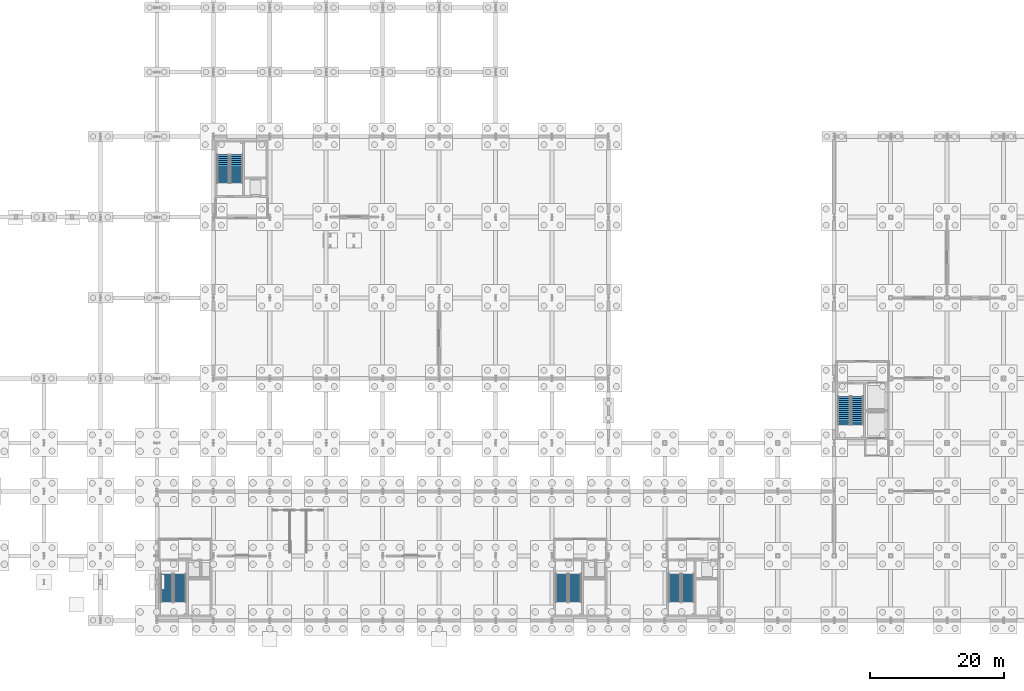
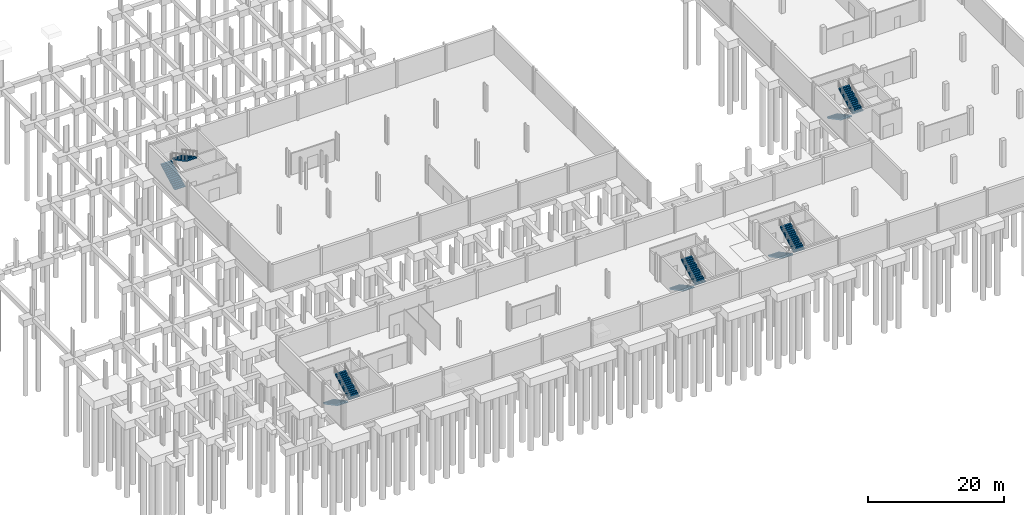
# One storey, part 24 of 29: 10 stair flights, 5 elements without a shape of their own.
"""IFC4 building model written with IfcOpenShell, lengths in metres."""

from ifc_helpers import new_model, si_unit, direction, frame, origin, place, context, subcontext, project, spatial, polyline, outline, extrude, material, type_object, element, aggregate, save


model = new_model("IFC4")

# Units and contexts
model_context = context("Model", 3, precision=1e-05, world=origin(), true_north=direction((0.0, 1.0)))
body_context = subcontext(model_context, "Body", "Model", "MODEL_VIEW")
ifc_project = project(units=[si_unit("LENGTHUNIT", "METRE"), si_unit("AREAUNIT", "SQUARE_METRE"), si_unit("VOLUMEUNIT", "CUBIC_METRE"), si_unit("PLANEANGLEUNIT", "RADIAN"), si_unit("MASSUNIT", "GRAM", prefix="KILO")], contexts=[model_context])

# Site, building, storey
site_placement = place(None, origin())
site = spatial("IfcSite", under=ifc_project, at=site_placement, CompositionType="ELEMENT")
building_placement = place(site_placement, origin())
building = spatial("IfcBuilding", under=site, at=building_placement, Name="Veltarok Museum of Natural Sciences", CompositionType="ELEMENT")
storey_placement = place(building_placement, frame((0.0, 0.0, -4.800048828125)))
storey = spatial("IfcBuildingStorey", under=building, at=storey_placement, Name="B1", CompositionType="ELEMENT", Elevation=-4.800048828125)

# Stair, stair flights
ifc_material = material(Name="Precast concrete C40/50", Category="concrete")
stair_type = type_object("IfcStairType", Name="Protected Half-Turn Escape Stair H4800", PredefinedType="HALF_TURN_STAIR", material=ifc_material)
stair_1_placement = place(storey_placement, origin())
stair_1 = element("IfcStair", 1, at=stair_1_placement, inside=storey, type_object=stair_type, Name="Protected Escape Stair ST-01-B1", PredefinedType="HALF_TURN_STAIR")
stair_flight_type = type_object("IfcStairFlightType", Name="Protected Escape Stair Flight W1820", PredefinedType="STRAIGHT", material=ifc_material)
stair_flight_1_placement = place(storey_placement, frame((33.06005859375, 6.89990234375, 0.0), z_axis=(0.0, 0.0, 1.0), x_axis=(0.0, -1.0, 0.0)))
stair_flight_1 = element("IfcStairFlight", 2, at=stair_flight_1_placement, type_object=stair_flight_type, Name="ST-01-B1 flight 1", NumberOfRisers=15, NumberOfTreads=14, PredefinedType="STRAIGHT", RiserHeight=0.16, TreadLength=0.3, context=body_context, shape_type="SweptSolid", body=[
    extrude(outline(polyline([(0.0, 0.0), (0.0, 0.159912109375), (0.300048828125, 0.159912109375), (0.300048828125, 0.320068359375), (0.60009765625, 0.320068359375), (0.60009765625, 0.47998046875), (0.89990234375, 0.47998046875), (0.89990234375, 0.639892578125), (1.199951171875, 0.639892578125), (1.199951171875, 0.800048828125), (1.5, 0.800048828125), (1.5, 0.9599609375), (1.800048828125, 0.9599609375), (1.800048828125, 1.1201171875), (2.10009765625, 1.1201171875), (2.10009765625, 1.280029296875), (2.39990234375, 1.280029296875), (2.39990234375, 1.43994140625), (2.699951171875, 1.43994140625), (2.699951171875, 1.60009765625), (3.0, 1.60009765625), (3.0, 1.760009765625), (3.300048828125, 1.760009765625), (3.300048828125, 1.919921875), (3.60009765625, 1.919921875), (3.60009765625, 2.080078125), (3.89990234375, 2.080078125), (3.89990234375, 2.239990234375), (4.199951171875, 2.239990234375), (4.199951171875, 2.39990234375), (4.199951171875, 2.0361328125), (0.38232421875, 0.0), (0.0, 0.0)])), frame((0.0, 0.91015625, 0.0), z_axis=(0.0, -1.0, 0.0), x_axis=(1.0, 0.0, 0.0)), (0.0, 0.0, 1.0), 1.820068359375),
])
stair_flight_2_placement = place(storey_placement, frame((35.0400390625, 2.699951171875, 2.400146484375), z_axis=(0.0, 0.0, 1.0), x_axis=(0.0, 1.0, 0.0)))
stair_flight_2 = element("IfcStairFlight", 3, at=stair_flight_2_placement, type_object=stair_flight_type, Name="ST-01-B1 flight 2", NumberOfRisers=15, NumberOfTreads=14, PredefinedType="STRAIGHT", RiserHeight=0.16, TreadLength=0.3, context=body_context, shape_type="SweptSolid", body=[
    extrude(outline(polyline([(0.0, 0.0), (0.0, 0.159912109375), (0.300048828125, 0.159912109375), (0.300048828125, 0.320068359375), (0.60009765625, 0.320068359375), (0.60009765625, 0.47998046875), (0.89990234375, 0.47998046875), (0.89990234375, 0.639892578125), (1.199951171875, 0.639892578125), (1.199951171875, 0.800048828125), (1.5, 0.800048828125), (1.5, 0.9599609375), (1.800048828125, 0.9599609375), (1.800048828125, 1.1201171875), (2.10009765625, 1.1201171875), (2.10009765625, 1.280029296875), (2.39990234375, 1.280029296875), (2.39990234375, 1.43994140625), (2.699951171875, 1.43994140625), (2.699951171875, 1.60009765625), (3.0, 1.60009765625), (3.0, 1.760009765625), (3.300048828125, 1.760009765625), (3.300048828125, 1.919921875), (3.60009765625, 1.919921875), (3.60009765625, 2.080078125), (3.89990234375, 2.080078125), (3.89990234375, 2.239990234375), (4.199951171875, 2.239990234375), (4.199951171875, 2.39990234375), (4.199951171875, 2.0361328125), (0.38232421875, 0.0), (0.0, 0.0)])), frame((0.0, 0.91015625, 0.0), z_axis=(0.0, -1.0, 0.0), x_axis=(1.0, 0.0, 0.0)), (0.0, 0.0, 1.0), 1.820068359375),
])
aggregate(stair_1, [stair_flight_1, stair_flight_2])

stair_2_placement = place(storey_placement, origin())
stair_2 = element("IfcStair", 4, at=stair_2_placement, inside=storey, type_object=stair_type, Name="Protected Escape Stair ST-02-B1", PredefinedType="HALF_TURN_STAIR")
stair_flight_3_placement = place(storey_placement, frame((91.860107421875, 6.89990234375, 0.0), z_axis=(0.0, 0.0, 1.0), x_axis=(0.0, -1.0, 0.0)))
stair_flight_3 = element("IfcStairFlight", 5, at=stair_flight_3_placement, type_object=stair_flight_type, Name="ST-02-B1 flight 1", NumberOfRisers=15, NumberOfTreads=14, PredefinedType="STRAIGHT", RiserHeight=0.16, TreadLength=0.3, context=body_context, shape_type="SweptSolid", body=[
    extrude(outline(polyline([(0.0, 0.0), (0.0, 0.159912109375), (0.300048828125, 0.159912109375), (0.300048828125, 0.320068359375), (0.60009765625, 0.320068359375), (0.60009765625, 0.47998046875), (0.89990234375, 0.47998046875), (0.89990234375, 0.639892578125), (1.199951171875, 0.639892578125), (1.199951171875, 0.800048828125), (1.5, 0.800048828125), (1.5, 0.9599609375), (1.800048828125, 0.9599609375), (1.800048828125, 1.1201171875), (2.10009765625, 1.1201171875), (2.10009765625, 1.280029296875), (2.39990234375, 1.280029296875), (2.39990234375, 1.43994140625), (2.699951171875, 1.43994140625), (2.699951171875, 1.60009765625), (3.0, 1.60009765625), (3.0, 1.760009765625), (3.300048828125, 1.760009765625), (3.300048828125, 1.919921875), (3.60009765625, 1.919921875), (3.60009765625, 2.080078125), (3.89990234375, 2.080078125), (3.89990234375, 2.239990234375), (4.199951171875, 2.239990234375), (4.199951171875, 2.39990234375), (4.199951171875, 2.0361328125), (0.38232421875, 0.0), (0.0, 0.0)])), frame((0.0, 0.91015625, 0.0), z_axis=(0.0, -1.0, 0.0), x_axis=(1.0, 0.0, 0.0)), (0.0, 0.0, 1.0), 1.820068359375),
])
stair_flight_4_placement = place(storey_placement, frame((93.840087890625, 2.699951171875, 2.400146484375), z_axis=(0.0, 0.0, 1.0), x_axis=(0.0, 1.0, 0.0)))
stair_flight_4 = element("IfcStairFlight", 6, at=stair_flight_4_placement, type_object=stair_flight_type, Name="ST-02-B1 flight 2", NumberOfRisers=15, NumberOfTreads=14, PredefinedType="STRAIGHT", RiserHeight=0.16, TreadLength=0.3, context=body_context, shape_type="SweptSolid", body=[
    extrude(outline(polyline([(0.0, 0.0), (0.0, 0.159912109375), (0.300048828125, 0.159912109375), (0.300048828125, 0.320068359375), (0.60009765625, 0.320068359375), (0.60009765625, 0.47998046875), (0.89990234375, 0.47998046875), (0.89990234375, 0.639892578125), (1.199951171875, 0.639892578125), (1.199951171875, 0.800048828125), (1.5, 0.800048828125), (1.5, 0.9599609375), (1.800048828125, 0.9599609375), (1.800048828125, 1.1201171875), (2.10009765625, 1.1201171875), (2.10009765625, 1.280029296875), (2.39990234375, 1.280029296875), (2.39990234375, 1.43994140625), (2.699951171875, 1.43994140625), (2.699951171875, 1.60009765625), (3.0, 1.60009765625), (3.0, 1.760009765625), (3.300048828125, 1.760009765625), (3.300048828125, 1.919921875), (3.60009765625, 1.919921875), (3.60009765625, 2.080078125), (3.89990234375, 2.080078125), (3.89990234375, 2.239990234375), (4.199951171875, 2.239990234375), (4.199951171875, 2.39990234375), (4.199951171875, 2.0361328125), (0.38232421875, 0.0), (0.0, 0.0)])), frame((0.0, 0.91015625, 0.0), z_axis=(0.0, -1.0, 0.0), x_axis=(1.0, 0.0, 0.0)), (0.0, 0.0, 1.0), 1.820068359375),
])
aggregate(stair_2, [stair_flight_3, stair_flight_4])

stair_3_placement = place(storey_placement, origin())
stair_3 = element("IfcStair", 7, at=stair_3_placement, inside=storey, type_object=stair_type, Name="Protected Escape Stair ST-03-B1", PredefinedType="HALF_TURN_STAIR")
stair_flight_5_placement = place(storey_placement, frame((41.4599609375, 65.10009765625, 0.0), z_axis=(0.0, 0.0, 1.0), x_axis=(0.0, 1.0, 0.0)))
stair_flight_5 = element("IfcStairFlight", 8, at=stair_flight_5_placement, type_object=stair_flight_type, Name="ST-03-B1 flight 1", NumberOfRisers=15, NumberOfTreads=14, PredefinedType="STRAIGHT", RiserHeight=0.16, TreadLength=0.3, context=body_context, shape_type="SweptSolid", body=[
    extrude(outline(polyline([(0.0, 0.0), (0.0, 0.159912109375), (0.300048828125, 0.159912109375), (0.300048828125, 0.320068359375), (0.60009765625, 0.320068359375), (0.60009765625, 0.47998046875), (0.89990234375, 0.47998046875), (0.89990234375, 0.639892578125), (1.199951171875, 0.639892578125), (1.199951171875, 0.800048828125), (1.5, 0.800048828125), (1.5, 0.9599609375), (1.800048828125, 0.9599609375), (1.800048828125, 1.1201171875), (2.10009765625, 1.1201171875), (2.10009765625, 1.280029296875), (2.39990234375, 1.280029296875), (2.39990234375, 1.43994140625), (2.699951171875, 1.43994140625), (2.699951171875, 1.60009765625), (3.0, 1.60009765625), (3.0, 1.760009765625), (3.300048828125, 1.760009765625), (3.300048828125, 1.919921875), (3.60009765625, 1.919921875), (3.60009765625, 2.080078125), (3.89990234375, 2.080078125), (3.89990234375, 2.239990234375), (4.199951171875, 2.239990234375), (4.199951171875, 2.39990234375), (4.199951171875, 2.0361328125), (0.38232421875, 0.0), (0.0, 0.0)])), frame((0.0, 0.91015625, 0.0), z_axis=(0.0, -1.0, 0.0), x_axis=(1.0, 0.0, 0.0)), (0.0, 0.0, 1.0), 1.820068359375),
])
stair_flight_6_placement = place(storey_placement, frame((43.43994140625, 69.300048828125, 2.400146484375), z_axis=(0.0, 0.0, 1.0), x_axis=(0.0, -1.0, 0.0)))
stair_flight_6 = element("IfcStairFlight", 9, at=stair_flight_6_placement, type_object=stair_flight_type, Name="ST-03-B1 flight 2", NumberOfRisers=15, NumberOfTreads=14, PredefinedType="STRAIGHT", RiserHeight=0.16, TreadLength=0.3, context=body_context, shape_type="SweptSolid", body=[
    extrude(outline(polyline([(0.0, 0.0), (0.0, 0.159912109375), (0.300048828125, 0.159912109375), (0.300048828125, 0.320068359375), (0.60009765625, 0.320068359375), (0.60009765625, 0.47998046875), (0.89990234375, 0.47998046875), (0.89990234375, 0.639892578125), (1.199951171875, 0.639892578125), (1.199951171875, 0.800048828125), (1.5, 0.800048828125), (1.5, 0.9599609375), (1.800048828125, 0.9599609375), (1.800048828125, 1.1201171875), (2.10009765625, 1.1201171875), (2.10009765625, 1.280029296875), (2.39990234375, 1.280029296875), (2.39990234375, 1.43994140625), (2.699951171875, 1.43994140625), (2.699951171875, 1.60009765625), (3.0, 1.60009765625), (3.0, 1.760009765625), (3.300048828125, 1.760009765625), (3.300048828125, 1.919921875), (3.60009765625, 1.919921875), (3.60009765625, 2.080078125), (3.89990234375, 2.080078125), (3.89990234375, 2.239990234375), (4.199951171875, 2.239990234375), (4.199951171875, 2.39990234375), (4.199951171875, 2.0361328125), (0.38232421875, 0.0), (0.0, 0.0)])), frame((0.0, 0.91015625, 0.0), z_axis=(0.0, -1.0, 0.0), x_axis=(1.0, 0.0, 0.0)), (0.0, 0.0, 1.0), 1.820068359375),
])
aggregate(stair_3, [stair_flight_5, stair_flight_6])

stair_4_placement = place(storey_placement, origin())
stair_4 = element("IfcStair", 10, at=stair_4_placement, inside=storey, type_object=stair_type, Name="Protected Escape Stair ST-04-B1", PredefinedType="HALF_TURN_STAIR")
stair_flight_7_placement = place(storey_placement, frame((108.659912109375, 6.89990234375, 0.0), z_axis=(0.0, 0.0, 1.0), x_axis=(0.0, -1.0, 0.0)))
stair_flight_7 = element("IfcStairFlight", 11, at=stair_flight_7_placement, type_object=stair_flight_type, Name="ST-04-B1 flight 1", NumberOfRisers=15, NumberOfTreads=14, PredefinedType="STRAIGHT", RiserHeight=0.16, TreadLength=0.3, context=body_context, shape_type="SweptSolid", body=[
    extrude(outline(polyline([(0.0, 0.0), (0.0, 0.159912109375), (0.300048828125, 0.159912109375), (0.300048828125, 0.320068359375), (0.60009765625, 0.320068359375), (0.60009765625, 0.47998046875), (0.89990234375, 0.47998046875), (0.89990234375, 0.639892578125), (1.199951171875, 0.639892578125), (1.199951171875, 0.800048828125), (1.5, 0.800048828125), (1.5, 0.9599609375), (1.800048828125, 0.9599609375), (1.800048828125, 1.1201171875), (2.10009765625, 1.1201171875), (2.10009765625, 1.280029296875), (2.39990234375, 1.280029296875), (2.39990234375, 1.43994140625), (2.699951171875, 1.43994140625), (2.699951171875, 1.60009765625), (3.0, 1.60009765625), (3.0, 1.760009765625), (3.300048828125, 1.760009765625), (3.300048828125, 1.919921875), (3.60009765625, 1.919921875), (3.60009765625, 2.080078125), (3.89990234375, 2.080078125), (3.89990234375, 2.239990234375), (4.199951171875, 2.239990234375), (4.199951171875, 2.39990234375), (4.199951171875, 2.0361328125), (0.38232421875, 0.0), (0.0, 0.0)])), frame((0.0, 0.91015625, 0.0), z_axis=(0.0, -1.0, 0.0), x_axis=(1.0, 0.0, 0.0)), (0.0, 0.0, 1.0), 1.820068359375),
])
stair_flight_8_placement = place(storey_placement, frame((110.639892578125, 2.699951171875, 2.400146484375), z_axis=(0.0, 0.0, 1.0), x_axis=(0.0, 1.0, 0.0)))
stair_flight_8 = element("IfcStairFlight", 12, at=stair_flight_8_placement, type_object=stair_flight_type, Name="ST-04-B1 flight 2", NumberOfRisers=15, NumberOfTreads=14, PredefinedType="STRAIGHT", RiserHeight=0.16, TreadLength=0.3, context=body_context, shape_type="SweptSolid", body=[
    extrude(outline(polyline([(0.0, 0.0), (0.0, 0.159912109375), (0.300048828125, 0.159912109375), (0.300048828125, 0.320068359375), (0.60009765625, 0.320068359375), (0.60009765625, 0.47998046875), (0.89990234375, 0.47998046875), (0.89990234375, 0.639892578125), (1.199951171875, 0.639892578125), (1.199951171875, 0.800048828125), (1.5, 0.800048828125), (1.5, 0.9599609375), (1.800048828125, 0.9599609375), (1.800048828125, 1.1201171875), (2.10009765625, 1.1201171875), (2.10009765625, 1.280029296875), (2.39990234375, 1.280029296875), (2.39990234375, 1.43994140625), (2.699951171875, 1.43994140625), (2.699951171875, 1.60009765625), (3.0, 1.60009765625), (3.0, 1.760009765625), (3.300048828125, 1.760009765625), (3.300048828125, 1.919921875), (3.60009765625, 1.919921875), (3.60009765625, 2.080078125), (3.89990234375, 2.080078125), (3.89990234375, 2.239990234375), (4.199951171875, 2.239990234375), (4.199951171875, 2.39990234375), (4.199951171875, 2.0361328125), (0.38232421875, 0.0), (0.0, 0.0)])), frame((0.0, 0.91015625, 0.0), z_axis=(0.0, -1.0, 0.0), x_axis=(1.0, 0.0, 0.0)), (0.0, 0.0, 1.0), 1.820068359375),
])
aggregate(stair_4, [stair_flight_7, stair_flight_8])

stair_5_placement = place(storey_placement, origin())
stair_5 = element("IfcStair", 13, at=stair_5_placement, inside=storey, type_object=stair_type, Name="Protected Escape Stair ST-05-B1", PredefinedType="HALF_TURN_STAIR")
stair_flight_9_placement = place(storey_placement, frame((133.860107421875, 33.300048828125, 0.0), z_axis=(0.0, 0.0, 1.0), x_axis=(0.0, -1.0, 0.0)))
stair_flight_9 = element("IfcStairFlight", 14, at=stair_flight_9_placement, type_object=stair_flight_type, Name="ST-05-B1 flight 1", NumberOfRisers=15, NumberOfTreads=14, PredefinedType="STRAIGHT", RiserHeight=0.16, TreadLength=0.3, context=body_context, shape_type="SweptSolid", body=[
    extrude(outline(polyline([(0.0, 0.0), (0.0, 0.159912109375), (0.300048828125, 0.159912109375), (0.300048828125, 0.320068359375), (0.60009765625, 0.320068359375), (0.60009765625, 0.47998046875), (0.89990234375, 0.47998046875), (0.89990234375, 0.639892578125), (1.199951171875, 0.639892578125), (1.199951171875, 0.800048828125), (1.5, 0.800048828125), (1.5, 0.9599609375), (1.800048828125, 0.9599609375), (1.800048828125, 1.1201171875), (2.10009765625, 1.1201171875), (2.10009765625, 1.280029296875), (2.39990234375, 1.280029296875), (2.39990234375, 1.43994140625), (2.699951171875, 1.43994140625), (2.699951171875, 1.60009765625), (3.0, 1.60009765625), (3.0, 1.760009765625), (3.300048828125, 1.760009765625), (3.300048828125, 1.919921875), (3.60009765625, 1.919921875), (3.60009765625, 2.080078125), (3.89990234375, 2.080078125), (3.89990234375, 2.239990234375), (4.199951171875, 2.239990234375), (4.199951171875, 2.39990234375), (4.199951171875, 2.0361328125), (0.38232421875, 0.0), (0.0, 0.0)])), frame((0.0, 0.91015625, 0.0), z_axis=(0.0, -1.0, 0.0), x_axis=(1.0, 0.0, 0.0)), (0.0, 0.0, 1.0), 1.820068359375),
])
stair_flight_10_placement = place(storey_placement, frame((135.840087890625, 29.10009765625, 2.400146484375), z_axis=(0.0, 0.0, 1.0), x_axis=(0.0, 1.0, 0.0)))
stair_flight_10 = element("IfcStairFlight", 15, at=stair_flight_10_placement, type_object=stair_flight_type, Name="ST-05-B1 flight 2", NumberOfRisers=15, NumberOfTreads=14, PredefinedType="STRAIGHT", RiserHeight=0.16, TreadLength=0.3, context=body_context, shape_type="SweptSolid", body=[
    extrude(outline(polyline([(0.0, 0.0), (0.0, 0.159912109375), (0.300048828125, 0.159912109375), (0.300048828125, 0.320068359375), (0.60009765625, 0.320068359375), (0.60009765625, 0.47998046875), (0.89990234375, 0.47998046875), (0.89990234375, 0.639892578125), (1.199951171875, 0.639892578125), (1.199951171875, 0.800048828125), (1.5, 0.800048828125), (1.5, 0.9599609375), (1.800048828125, 0.9599609375), (1.800048828125, 1.1201171875), (2.10009765625, 1.1201171875), (2.10009765625, 1.280029296875), (2.39990234375, 1.280029296875), (2.39990234375, 1.43994140625), (2.699951171875, 1.43994140625), (2.699951171875, 1.60009765625), (3.0, 1.60009765625), (3.0, 1.760009765625), (3.300048828125, 1.760009765625), (3.300048828125, 1.919921875), (3.60009765625, 1.919921875), (3.60009765625, 2.080078125), (3.89990234375, 2.080078125), (3.89990234375, 2.239990234375), (4.199951171875, 2.239990234375), (4.199951171875, 2.39990234375), (4.199951171875, 2.0361328125), (0.38232421875, 0.0), (0.0, 0.0)])), frame((0.0, 0.91015625, 0.0), z_axis=(0.0, -1.0, 0.0), x_axis=(1.0, 0.0, 0.0)), (0.0, 0.0, 1.0), 1.820068359375),
])
aggregate(stair_5, [stair_flight_9, stair_flight_10])

save(model, "model.ifc")
